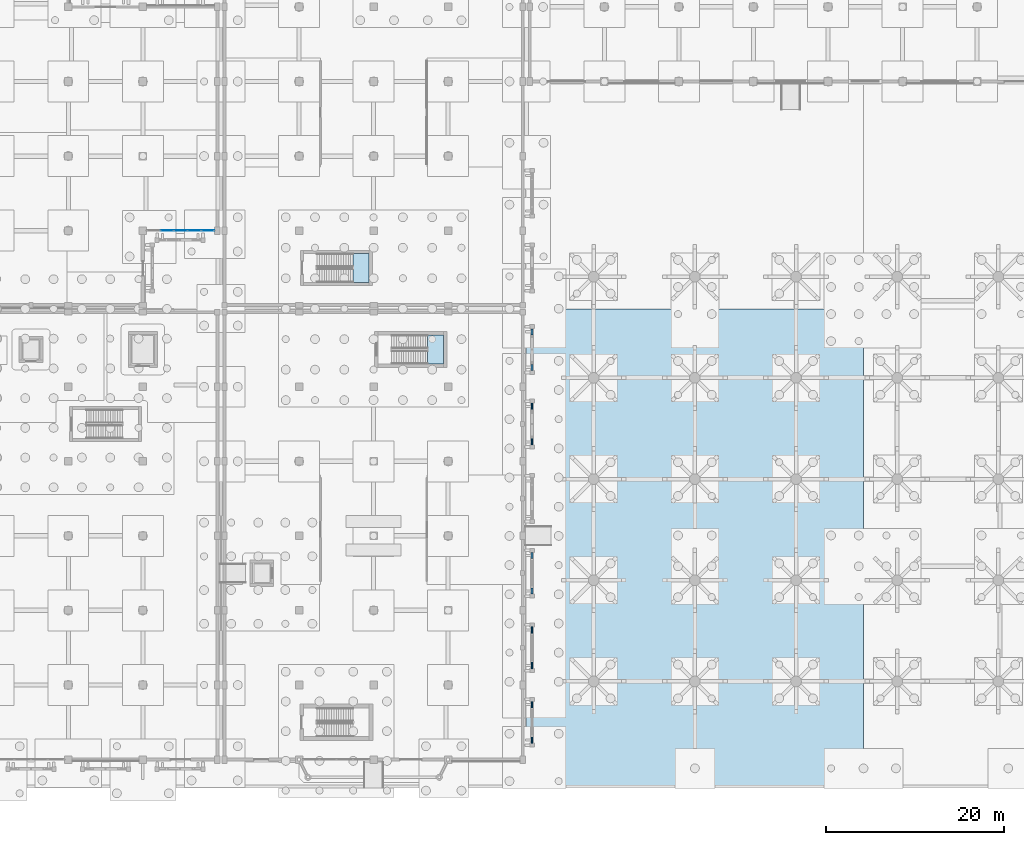
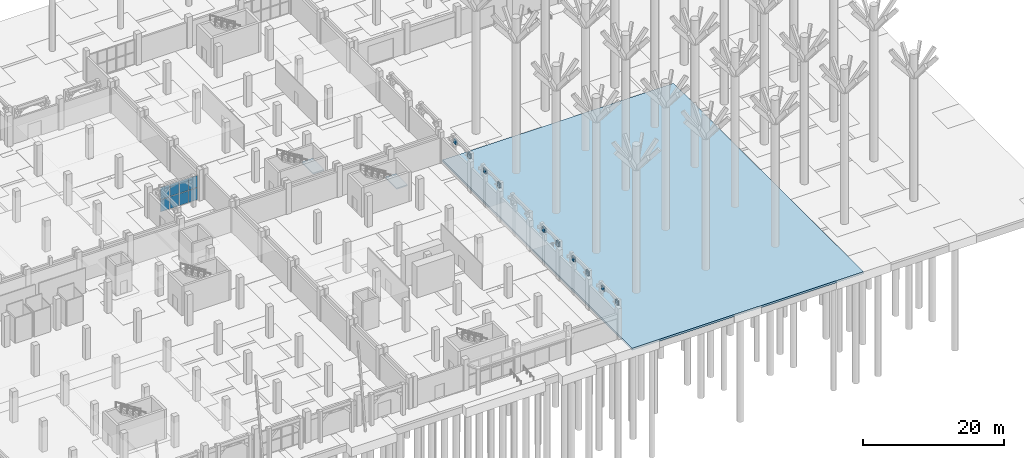
# One storey, part 52 of 98: 18 plates, 3 slabs, 3 elements without a shape of their own.
"""IFC4 building model written with IfcOpenShell, lengths in metres."""

from ifc_helpers import new_model, si_unit, direction, frame, origin, origin_2d, place, context, subcontext, project, spatial, polyline, rectangle, outline, extrude, material, layer, layer_set, type_object, element, aggregate, save


model = new_model("IFC4")

# Units and contexts
model_context = context("Model", 3, precision=1e-05, world=origin(), true_north=direction((0.0, 1.0)))
body_context = subcontext(model_context, "Body", "Model", "MODEL_VIEW")
ifc_project = project(units=[si_unit("LENGTHUNIT", "METRE"), si_unit("AREAUNIT", "SQUARE_METRE"), si_unit("VOLUMEUNIT", "CUBIC_METRE"), si_unit("PLANEANGLEUNIT", "RADIAN"), si_unit("MASSUNIT", "GRAM", prefix="KILO")], contexts=[model_context])

# Site, building, storey
site_placement = place(None, origin())
site = spatial("IfcSite", under=ifc_project, at=site_placement, CompositionType="ELEMENT")
building_placement = place(site_placement, origin())
building = spatial("IfcBuilding", under=site, at=building_placement, Name="Xazarin Passage Department Store", CompositionType="ELEMENT")
storey_placement = place(building_placement, origin())
storey = spatial("IfcBuildingStorey", under=building, at=storey_placement, Name="L00", CompositionType="ELEMENT", Elevation=0.0)

# Curtain wall, plates
ifc_material_1 = material(Name="Bronze anodised aluminium", Category="aluminium")
ifc_layer_1 = layer(ifc_material_1, 0.179931640625)
ifc_layer_set_1 = layer_set([ifc_layer_1], Name="Bronze anodised aluminium")
curtain_wall_type = type_object("IfcCurtainWallType", Name="ARC-CW-VIT1", PredefinedType="NOTDEFINED", material=ifc_layer_set_1)
curtain_wall_placement = place(storey_placement, origin())
curtain_wall = element("IfcCurtainWall", 1, at=curtain_wall_placement, inside=storey, type_object=curtain_wall_type, Name="L00 V1 Curtain Wall 001", PredefinedType="NOTDEFINED")
ifc_material_2 = material(Name="Low-E laminated safety glass", Category="glass")
ifc_layer_2 = layer(ifc_material_2, 0.031982421875)
ifc_layer_set_2 = layer_set([ifc_layer_2], Name="Low-E laminated safety glass")
plate_type_1 = type_object("IfcPlateType", Name="ARC-CWP-GLZ32", PredefinedType="CURTAIN_PANEL", material=ifc_layer_set_2)
plate_1_placement = place(storey_placement, frame((61.527587890625, 59.60009765625, 0.074951171875), z_axis=(0.0, 0.0, 1.0), x_axis=(1.0, 0.0, 0.0)))
plate_1 = element("IfcPlate", 2, at=plate_1_placement, type_object=plate_type_1, Name="CW1 panel 2.1", PredefinedType="CURTAIN_PANEL", context=body_context, shape_type="SweptSolid", body=[
    extrude(rectangle(XDim=1.4599609375, YDim=0.031982421875, at=origin_2d()), origin(), (0.0, 0.0, 1.0), 2.0625),
])
plate_2_placement = place(storey_placement, frame((61.527587890625, 59.60009765625, 2.21240234375), z_axis=(0.0, 0.0, 1.0), x_axis=(1.0, 0.0, 0.0)))
plate_2 = element("IfcPlate", 3, at=plate_2_placement, type_object=plate_type_1, Name="CW1 panel 2.2", PredefinedType="CURTAIN_PANEL", context=body_context, shape_type="SweptSolid", body=[
    extrude(rectangle(XDim=1.4599609375, YDim=0.031982421875, at=origin_2d()), origin(), (0.0, 0.0, 1.0), 2.0625),
])
plate_3_placement = place(storey_placement, frame((63.0625, 59.60009765625, 0.074951171875), z_axis=(0.0, 0.0, 1.0), x_axis=(1.0, 0.0, 0.0)))
plate_3 = element("IfcPlate", 4, at=plate_3_placement, type_object=plate_type_1, Name="CW1 panel 3.1", PredefinedType="CURTAIN_PANEL", context=body_context, shape_type="SweptSolid", body=[
    extrude(rectangle(XDim=1.4599609375, YDim=0.031982421875, at=origin_2d()), origin(), (0.0, 0.0, 1.0), 2.0625),
])
plate_4_placement = place(storey_placement, frame((63.0625, 59.60009765625, 2.21240234375), z_axis=(0.0, 0.0, 1.0), x_axis=(1.0, 0.0, 0.0)))
plate_4 = element("IfcPlate", 5, at=plate_4_placement, type_object=plate_type_1, Name="CW1 panel 3.2", PredefinedType="CURTAIN_PANEL", context=body_context, shape_type="SweptSolid", body=[
    extrude(rectangle(XDim=1.4599609375, YDim=0.031982421875, at=origin_2d()), origin(), (0.0, 0.0, 1.0), 2.0625),
])
plate_5_placement = place(storey_placement, frame((64.597412109375, 59.60009765625, 0.074951171875), z_axis=(0.0, 0.0, 1.0), x_axis=(1.0, 0.0, 0.0)))
plate_5 = element("IfcPlate", 6, at=plate_5_placement, type_object=plate_type_1, Name="CW1 panel 4.1", PredefinedType="CURTAIN_PANEL", context=body_context, shape_type="SweptSolid", body=[
    extrude(rectangle(XDim=1.4599609375, YDim=0.031982421875, at=origin_2d()), origin(), (0.0, 0.0, 1.0), 2.0625),
])
plate_6_placement = place(storey_placement, frame((64.597412109375, 59.60009765625, 2.21240234375), z_axis=(0.0, 0.0, 1.0), x_axis=(1.0, 0.0, 0.0)))
plate_6 = element("IfcPlate", 7, at=plate_6_placement, type_object=plate_type_1, Name="CW1 panel 4.2", PredefinedType="CURTAIN_PANEL", context=body_context, shape_type="SweptSolid", body=[
    extrude(rectangle(XDim=1.4599609375, YDim=0.031982421875, at=origin_2d()), origin(), (0.0, 0.0, 1.0), 2.0625),
])
plate_7_placement = place(storey_placement, frame((66.11376953125, 59.60009765625, 0.074951171875), z_axis=(0.0, 0.0, 1.0), x_axis=(1.0, 0.0, 0.0)))
plate_7 = element("IfcPlate", 8, at=plate_7_placement, type_object=plate_type_1, Name="CW1 panel 5.1", PredefinedType="CURTAIN_PANEL", context=body_context, shape_type="SweptSolid", body=[
    extrude(rectangle(XDim=1.422607421875, YDim=0.031982421875, at=origin_2d()), origin(), (0.0, 0.0, 1.0), 2.0625),
])
plate_8_placement = place(storey_placement, frame((66.11376953125, 59.60009765625, 2.21240234375), z_axis=(0.0, 0.0, 1.0), x_axis=(1.0, 0.0, 0.0)))
plate_8 = element("IfcPlate", 9, at=plate_8_placement, type_object=plate_type_1, Name="CW1 panel 5.2", PredefinedType="CURTAIN_PANEL", context=body_context, shape_type="SweptSolid", body=[
    extrude(rectangle(XDim=1.422607421875, YDim=0.031982421875, at=origin_2d()), origin(), (0.0, 0.0, 1.0), 2.0625),
])
aggregate(curtain_wall, [plate_1, plate_2, plate_3, plate_4, plate_5, plate_6, plate_7, plate_8])

# Plates
ifc_material_3 = material(Name="Precast concrete C40/50", Category="concrete")
ifc_layer_3 = layer(ifc_material_3, 0.139892578125)
ifc_layer_set_3 = layer_set([ifc_layer_3], Name="Precast concrete C40/50")
plate_type_2 = type_object("IfcPlateType", Name="ARC-PLT-SCR-07", PredefinedType="USERDEFINED", material=ifc_layer_set_3)
for number, where, z_axis, x_axis, name in (
    (10, (102.64990234375, 2.199951171875, 4.16015625), (0.0, 0.0, 1.0), (0.0, 1.0, 0.0), "L00 V2S Arch Spandrel Tympanum 0167"),
    (11, (102.64990234375, 6.199951171875, 4.16015625), (0.0, 0.0, 1.0), (0.0, 1.0, 0.0), "L00 V2S Arch Spandrel Tympanum 0168"),
):
    element("IfcPlate", number, at=place(storey_placement, frame(where, z_axis=z_axis, x_axis=x_axis)), inside=storey, type_object=plate_type_2, Name=name, ObjectType="SCREEN PANEL", PredefinedType="USERDEFINED", context=body_context, shape_type="SweptSolid", body=[
        extrude(rectangle(XDim=0.679931640625, YDim=0.139892578125, at=origin_2d()), origin(), (0.0, 0.0, 1.0), 0.719970703125),
    ])
ifc_layer_4 = layer(ifc_material_3, 0.179931640625)
ifc_layer_set_4 = layer_set([ifc_layer_4], Name="Precast concrete C40/50")
plate_type_3 = type_object("IfcPlateType", Name="ARC-PLT-SCR-11", PredefinedType="USERDEFINED", material=ifc_layer_set_4)
for number, where, z_axis, x_axis, name in (
    (12, (102.64990234375, 35.800048828125, 4.16015625), (0.0, 0.0, 1.0), (0.0, 1.0, 0.0), "L00 V2S Arch Spandrel Tympanum 0191"),
    (13, (102.64990234375, 39.800048828125, 4.16015625), (0.0, 0.0, 1.0), (0.0, 1.0, 0.0), "L00 V2S Arch Spandrel Tympanum 0192"),
):
    element("IfcPlate", number, at=place(storey_placement, frame(where, z_axis=z_axis, x_axis=x_axis)), inside=storey, type_object=plate_type_3, Name=name, ObjectType="SCREEN PANEL", PredefinedType="USERDEFINED", context=body_context, shape_type="SweptSolid", body=[
        extrude(rectangle(XDim=0.679931640625, YDim=0.179931640625, at=origin_2d()), origin(), (0.0, 0.0, 1.0), 0.719970703125),
    ])
ifc_layer_5 = layer(ifc_material_3, 0.199951171875)
ifc_layer_set_5 = layer_set([ifc_layer_5], Name="Precast concrete C40/50")
plate_type_4 = type_object("IfcPlateType", Name="ARC-PLT-SCR-13", PredefinedType="USERDEFINED", material=ifc_layer_set_5)
for number, where, z_axis, x_axis, name in (
    (14, (102.64990234375, 10.60009765625, 4.16015625), (0.0, 0.0, 1.0), (0.0, 1.0, 0.0), "L00 V2S Arch Spandrel Tympanum 0173"),
    (15, (102.64990234375, 14.60009765625, 4.16015625), (0.0, 0.0, 1.0), (0.0, 1.0, 0.0), "L00 V2S Arch Spandrel Tympanum 0174"),
):
    element("IfcPlate", number, at=place(storey_placement, frame(where, z_axis=z_axis, x_axis=x_axis)), inside=storey, type_object=plate_type_4, Name=name, ObjectType="SCREEN PANEL", PredefinedType="USERDEFINED", context=body_context, shape_type="SweptSolid", body=[
        extrude(rectangle(XDim=0.679931640625, YDim=0.199951171875, at=origin_2d()), origin(), (0.0, 0.0, 1.0), 0.719970703125),
    ])
ifc_layer_6 = layer(ifc_material_3, 0.239990234375)
ifc_layer_set_6 = layer_set([ifc_layer_6], Name="Precast concrete C40/50")
plate_type_5 = type_object("IfcPlateType", Name="ARC-PLT-SCR-17", PredefinedType="USERDEFINED", material=ifc_layer_set_6)
for number, where, z_axis, x_axis, name in (
    (16, (102.64990234375, 44.199951171875, 4.16015625), (0.0, 0.0, 1.0), (0.0, 1.0, 0.0), "L00 V2S Arch Spandrel Tympanum 0197"),
    (17, (102.64990234375, 48.199951171875, 4.16015625), (0.0, 0.0, 1.0), (0.0, 1.0, 0.0), "L00 V2S Arch Spandrel Tympanum 0198"),
):
    element("IfcPlate", number, at=place(storey_placement, frame(where, z_axis=z_axis, x_axis=x_axis)), inside=storey, type_object=plate_type_5, Name=name, ObjectType="SCREEN PANEL", PredefinedType="USERDEFINED", context=body_context, shape_type="SweptSolid", body=[
        extrude(rectangle(XDim=0.679931640625, YDim=0.239990234375, at=origin_2d()), origin(), (0.0, 0.0, 1.0), 0.719970703125),
    ])
ifc_layer_7 = layer(ifc_material_3, 0.260009765625)
ifc_layer_set_7 = layer_set([ifc_layer_7], Name="Precast concrete C40/50")
plate_type_6 = type_object("IfcPlateType", Name="ARC-PLT-SCR-19", PredefinedType="USERDEFINED", material=ifc_layer_set_7)
for number, where, z_axis, x_axis, name in (
    (18, (102.64990234375, 19.0, 4.16015625), (0.0, 0.0, 1.0), (0.0, 1.0, 0.0), "L00 V2S Arch Spandrel Tympanum 0179"),
    (19, (102.64990234375, 23.0, 4.16015625), (0.0, 0.0, 1.0), (0.0, 1.0, 0.0), "L00 V2S Arch Spandrel Tympanum 0180"),
):
    element("IfcPlate", number, at=place(storey_placement, frame(where, z_axis=z_axis, x_axis=x_axis)), inside=storey, type_object=plate_type_6, Name=name, ObjectType="SCREEN PANEL", PredefinedType="USERDEFINED", context=body_context, shape_type="SweptSolid", body=[
        extrude(rectangle(XDim=0.679931640625, YDim=0.260009765625, at=origin_2d()), origin(), (0.0, 0.0, 1.0), 0.719970703125),
    ])

# Stair, slab
ifc_material_4 = material(Name="Concrete C35/45", Category="concrete")
stair_type = type_object("IfcStairType", Name="ARC-ST-L00", PredefinedType="HALF_TURN_STAIR", material=ifc_material_4)
stair_1_placement = place(storey_placement, origin())
stair_1 = element("IfcStair", 20, at=stair_1_placement, inside=storey, type_object=stair_type, Name="L00 Exit Stair ST5", PredefinedType="HALF_TURN_STAIR")
ifc_layer_8 = layer(ifc_material_4, 0.199951171875)
ifc_layer_set_8 = layer_set([ifc_layer_8], Name="Concrete C35/45")
slab_type_1 = type_object("IfcSlabType", Name="STR-SLB-LND200", PredefinedType="LANDING", material=ifc_layer_set_8)
slab_1_placement = place(storey_placement, frame((0.0, 0.0, 2.5)))
slab_1 = element("IfcSlab", 21, at=slab_1_placement, type_object=slab_type_1, Name="ST5 landing 1", PredefinedType="LANDING", context=body_context, shape_type="SweptSolid", body=[
    extrude(outline(polyline([(90.889892578125, 44.580078125), (92.699951171875, 44.580078125), (92.699951171875, 47.820068359375), (90.889892578125, 47.820068359375), (90.889892578125, 44.580078125)])), origin(), (0.0, 0.0, 1.0), 0.199951171875),
])
aggregate(stair_1, [slab_1])

stair_2_placement = place(storey_placement, origin())
stair_2 = element("IfcStair", 22, at=stair_2_placement, inside=storey, type_object=stair_type, Name="L00 Exit Stair ST6", PredefinedType="HALF_TURN_STAIR")
slab_2_placement = place(storey_placement, frame((0.0, 0.0, 2.5)))
slab_2 = element("IfcSlab", 23, at=slab_2_placement, type_object=slab_type_1, Name="ST6 landing 1", PredefinedType="LANDING", context=body_context, shape_type="SweptSolid", body=[
    extrude(outline(polyline([(82.489990234375, 53.780029296875), (84.300048828125, 53.780029296875), (84.300048828125, 57.02001953125), (82.489990234375, 57.02001953125), (82.489990234375, 53.780029296875)])), origin(), (0.0, 0.0, 1.0), 0.199951171875),
])
aggregate(stair_2, [slab_2])

# Slab
ifc_layer_9 = layer(ifc_material_4, 0.35009765625)
ifc_layer_set_9 = layer_set([ifc_layer_9], Name="Concrete C35/45")
slab_type_2 = type_object("IfcSlabType", Name="STR-SLB-PLZ350", PredefinedType="BASESLAB", material=ifc_layer_set_9)
slab_3_placement = place(storey_placement, frame((0.0, 0.0, -0.35009765625)))
element("IfcSlab", 24, at=slab_3_placement, inside=storey, type_object=slab_type_2, Name="L00 Open Trading Court Limestone Plaza Slab 05", PredefinedType="BASESLAB", context=body_context, shape_type="SweptSolid", body=[
    extrude(outline(polyline([(139.989990234375, -3.18994140625), (139.989990234375, 50.7900390625), (102.010009765625, 50.7900390625), (102.010009765625, -3.18994140625), (139.989990234375, -3.18994140625)])), origin(), (0.0, 0.0, 1.0), 0.35009765625),
])

save(model, "model.ifc")
